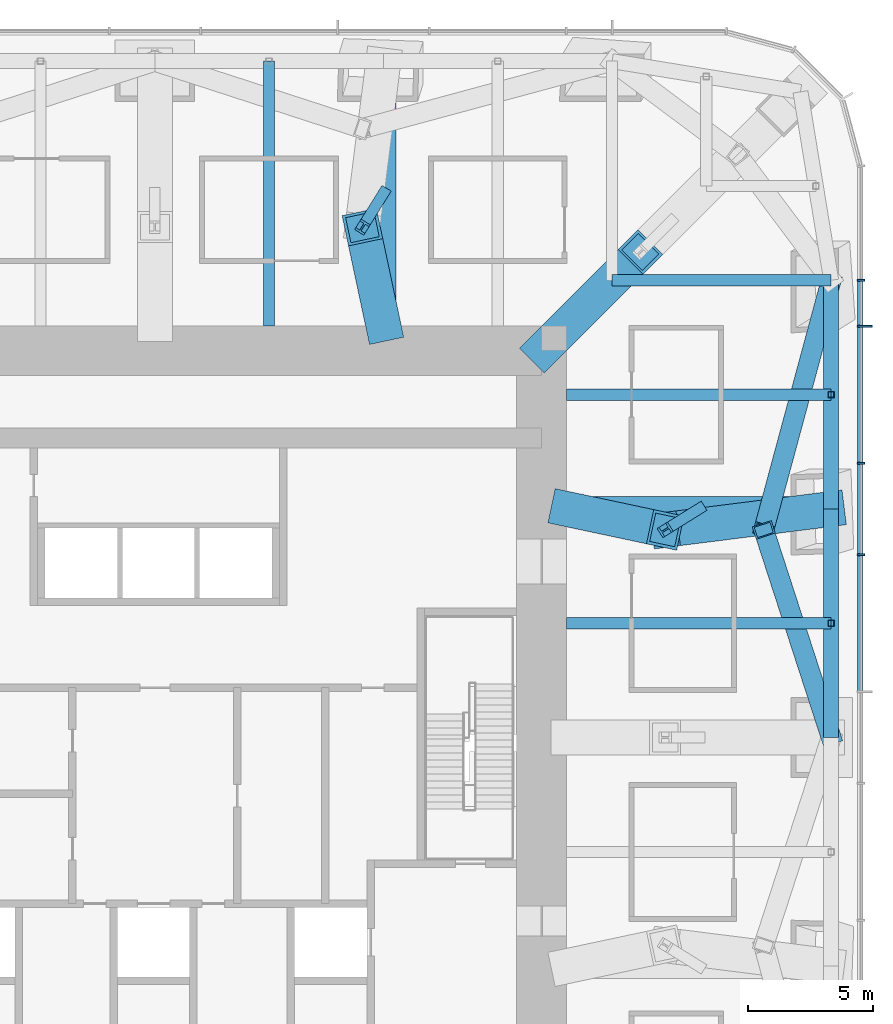
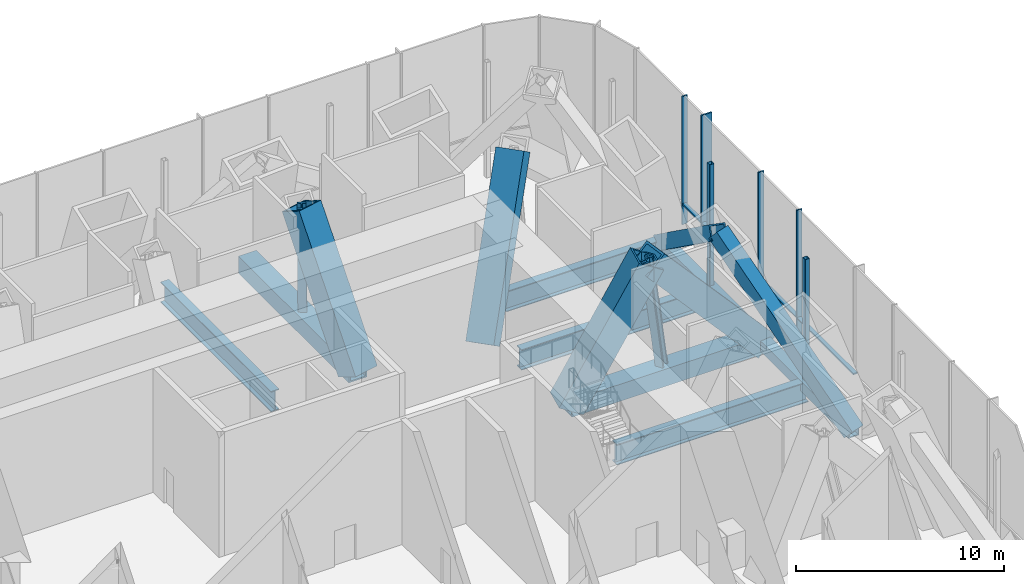
# One storey, part 8 of 16: 22 members, 4 beams, 1 element without a shape of its own.
"""IFC4 building model written with IfcOpenShell, lengths in metres."""

import ifcopenshell
import ifcopenshell.guid

model = None  # the IFC model being written
_history = None  # IfcOwnerHistory: only IFC2X3 demands one
_inside = {}  # id of a spatial element -> (the spatial element, [elements in it])
_under = {}  # id of a project, library or spatial element -> (it, [spatial elements below it])
_declared = {}  # id of a project -> (the project, [libraries it declares])
_typed = {}  # id of a type object -> (the type object, [elements of that type])
_made_of = {}  # id of a material, layer set ... -> (it, [elements and type objects made of it])


def new_model(schema):
    """Start an empty IFC model of exactly this schema.

    Asked for "IFC4X3", IfcOpenShell would pick the latest addendum, in which some entities
    have other attributes; the version numbers below select the first issue.
    IFC2X3 requires an IfcOwnerHistory on every rooted entity: one is made here for all.
    """
    global model, _history
    if schema == "IFC4X3":
        model = ifcopenshell.file(schema_version=(4, 3, 0, 0))
    else:
        model = ifcopenshell.file(schema=schema)
    _inside.clear()
    _under.clear()
    _declared.clear()
    _typed.clear()
    _made_of.clear()
    _history = None
    if model.schema == "IFC2X3":
        org = make("IfcOrganization", Name="unknown")
        user = make(
            "IfcPersonAndOrganization",
            ThePerson=make("IfcPerson", FamilyName="unknown"),
            TheOrganization=org,
        )
        app = make(
            "IfcApplication",
            ApplicationDeveloper=org,
            Version="unknown",
            ApplicationFullName="unknown",
            ApplicationIdentifier="unknown",
        )
        _history = make(
            "IfcOwnerHistory",
            OwningUser=user,
            OwningApplication=app,
            ChangeAction="ADDED",
            CreationDate=0,
        )
    return model


def make(cls, **values):
    """One entity of the class cls with the attributes given. An attribute that is None is left unset."""
    return model.create_entity(
        cls, **{name: value for name, value in values.items() if value is not None}
    )


def rooted(cls, **values):
    """An entity with a GlobalId (a new one), such as an element, a storey or a relation."""
    return make(cls, GlobalId=ifcopenshell.guid.new(), OwnerHistory=_history, **values)


def si_unit(unit_type, name, prefix=None):
    """IfcSIUnit, for example si_unit("LENGTHUNIT", "METRE", prefix="MILLI")."""
    return make("IfcSIUnit", UnitType=unit_type, Prefix=prefix, Name=name)


def assignment(units):
    """IfcUnitAssignment: the units of a project."""
    return None if units is None else make("IfcUnitAssignment", Units=units)


def point(xyz):
    """IfcCartesianPoint."""
    return None if xyz is None else make("IfcCartesianPoint", Coordinates=xyz)


def direction(xyz):
    """IfcDirection."""
    return None if xyz is None else make("IfcDirection", DirectionRatios=xyz)


def frame(location, z_axis=None, x_axis=None):
    """IfcAxis2Placement3D, a coordinate frame: its origin and axes. An axis left out is left unset."""
    return make(
        "IfcAxis2Placement3D",
        Location=point(location),
        Axis=direction(z_axis),
        RefDirection=direction(x_axis),
    )


def frame_2d(location, x_axis=None):
    """IfcAxis2Placement2D, a coordinate frame in the plane: its origin and x axis."""
    return make(
        "IfcAxis2Placement2D", Location=point(location), RefDirection=direction(x_axis)
    )


def origin():
    """The frame at (0, 0, 0) with its axes left unset."""
    return frame((0.0, 0.0, 0.0))


def origin_2d():
    """The frame at (0, 0) in the plane with its x axis left unset."""
    return frame_2d((0.0, 0.0))


def place(relative_to, where):
    """IfcLocalPlacement: puts the frame where relative to a parent placement (None: the world)."""
    return make(
        "IfcLocalPlacement", PlacementRelTo=relative_to, RelativePlacement=where
    )


def context(
    kind, dimensions, precision=None, world=None, true_north=None, identifier=None
):
    """IfcGeometricRepresentationContext, for example the 3D "Model" context."""
    return make(
        "IfcGeometricRepresentationContext",
        ContextIdentifier=identifier,
        ContextType=kind,
        CoordinateSpaceDimension=dimensions,
        Precision=precision,
        WorldCoordinateSystem=world,
        TrueNorth=true_north,
    )


def subcontext(parent, identifier, kind, view, scale=None):
    """IfcGeometricRepresentationSubContext, for example "Body" below "Model"."""
    return make(
        "IfcGeometricRepresentationSubContext",
        ContextIdentifier=identifier,
        ContextType=kind,
        ParentContext=parent,
        TargetScale=scale,
        TargetView=view,
    )


def project(units=None, contexts=None):
    """IfcProject with its units and contexts."""
    return rooted(
        "IfcProject",
        Name="project",
        RepresentationContexts=contexts,
        UnitsInContext=assignment(units),
    )


def spatial(cls, under=None, at=None, **own):
    """A site, building, storey or space (cls), placed at a placement, below another one or the project."""
    s = rooted(cls, ObjectPlacement=at, **own)
    if under is not None:
        _under.setdefault(under.id(), (under, []))[1].append(s)
    return s


def profile(cls, at=None, kind="AREA", **sizes):
    """A parametric profile (cls). Its sizes go by their IFC names, for example OverallWidth=200.0."""
    return make(cls, ProfileType=kind, Position=at, **sizes)


def rectangle(**sizes):
    """IfcRectangleProfileDef."""
    return profile("IfcRectangleProfileDef", **sizes)


def hollow_rectangle(**sizes):
    """IfcRectangleHollowProfileDef."""
    return profile("IfcRectangleHollowProfileDef", **sizes)


def i_section(**sizes):
    """IfcIShapeProfileDef."""
    return profile("IfcIShapeProfileDef", **sizes)


def extrude(swept, where, along, depth):
    """IfcExtrudedAreaSolid: the profile swept, set in the frame where, extruded along a direction by depth."""
    return make(
        "IfcExtrudedAreaSolid",
        SweptArea=swept,
        Position=where,
        ExtrudedDirection=direction(along),
        Depth=depth,
    )


def shape(context_of_items, identifier, shape_type, items):
    """IfcShapeRepresentation: the items that make up one representation, for example the "Body"."""
    return make(
        "IfcShapeRepresentation",
        ContextOfItems=context_of_items,
        RepresentationIdentifier=identifier,
        RepresentationType=shape_type,
        Items=items,
    )


def material(Name=None, Category=None):
    """IfcMaterial."""
    return make("IfcMaterial", Name=Name, Category=Category)


def material_profile(
    of_material, cross_section, Name=None, Category=None, Priority=None
):
    """IfcMaterialProfile: a cross section and its material."""
    return make(
        "IfcMaterialProfile",
        Name=Name,
        Material=of_material,
        Profile=cross_section,
        Priority=Priority,
        Category=Category,
    )


def profile_set(profiles, Name=None, composite=None):
    """IfcMaterialProfileSet."""
    return make(
        "IfcMaterialProfileSet",
        Name=Name,
        MaterialProfiles=profiles,
        CompositeProfile=composite,
    )


def made_of(thing, what):
    """Note that an element or type object is made of a material, layer set ...; save() writes the relation."""
    if what is not None:
        _made_of.setdefault(what.id(), (what, []))[1].append(thing)
    return thing


def type_object(cls, material=None, **own):
    """A type object (cls), such as IfcWallType, which elements share."""
    return made_of(rooted(cls, **own), material)


def element(
    cls,
    number,
    at=None,
    inside=None,
    cuts=None,
    type_object=None,
    material=None,
    context=None,
    identifier="Body",
    shape_type=None,
    held_by="IfcProductDefinitionShape",
    body=None,
    shapes=None,
    **own,
):
    """One element of the class cls, such as IfcWall. Its Tag is "e" and its number.

    at: its placement. inside: the storey or other place that contains it. cuts: it is an
    opening in that element (IfcRelVoidsElement). A single representation is given by context,
    identifier, shape_type and body (its items); several are given by shapes. held_by: the class
    of the entity that holds the representations. save() writes the other relations.
    """
    e = rooted(cls, Tag="e%d" % number, ObjectPlacement=at, **own)
    if body is not None:
        shapes = [shape(context, identifier, shape_type, body)]
    if shapes is not None:
        e.Representation = make(held_by, Representations=shapes)
    if inside is not None:
        _inside.setdefault(inside.id(), (inside, []))[1].append(e)
    if cuts is not None:
        rooted(
            "IfcRelVoidsElement", RelatingBuildingElement=cuts, RelatedOpeningElement=e
        )
    if type_object is not None:
        _typed.setdefault(type_object.id(), (type_object, []))[1].append(e)
    return made_of(e, material)


def aggregate(whole, parts):
    """IfcRelAggregates: a whole, such as a stair, and the parts it consists of."""
    return rooted("IfcRelAggregates", RelatingObject=whole, RelatedObjects=parts)


def save(model, path):
    """Write the relations noted so far, then the file.

    IfcRelAggregates (storeys below a building ...), IfcRelContainedInSpatialStructure (elements
    in a storey), IfcRelDefinesByType, IfcRelAssociatesMaterial and IfcRelDeclares: one each for
    every whole, place, type object, material and project.
    """
    for whole, parts in _under.values():
        aggregate(whole, parts)
    for where, things in _inside.values():
        rooted(
            "IfcRelContainedInSpatialStructure",
            RelatedElements=things,
            RelatingStructure=where,
        )
    for kind, things in _typed.values():
        rooted("IfcRelDefinesByType", RelatedObjects=things, RelatingType=kind)
    for what, things in _made_of.values():
        rooted("IfcRelAssociatesMaterial", RelatedObjects=things, RelatingMaterial=what)
    for by, libraries in _declared.values():
        rooted("IfcRelDeclares", RelatingContext=by, RelatedDefinitions=libraries)
    model.write(path)


model = new_model("IFC4")

# Units and contexts
model_context = context("Model", 3, precision=1e-05, world=origin(), true_north=direction((0.0, 1.0)))
body_context = subcontext(model_context, "Body", "Model", "MODEL_VIEW")
ifc_project = project(units=[si_unit("LENGTHUNIT", "METRE"), si_unit("AREAUNIT", "SQUARE_METRE"), si_unit("VOLUMEUNIT", "CUBIC_METRE"), si_unit("PLANEANGLEUNIT", "RADIAN"), si_unit("MASSUNIT", "GRAM", prefix="KILO")], contexts=[model_context])

# Site, building, storey
site_placement = place(None, origin())
site = spatial("IfcSite", under=ifc_project, at=site_placement, CompositionType="ELEMENT")
building_placement = place(site_placement, origin())
building = spatial("IfcBuilding", under=site, at=building_placement, Name="Khuree Lantern Residences", CompositionType="ELEMENT")
storey_placement = place(building_placement, frame((0.0, 0.0, 192.0)))
storey = spatial("IfcBuildingStorey", under=building, at=storey_placement, Name="L48", CompositionType="ELEMENT", Elevation=192.0)

# Beams
ifc_material_1 = material(Name="Steel S355", Category="steel")
ifc_material_profile_1 = material_profile(ifc_material_1, i_section(OverallWidth=0.449951171875, OverallDepth=1.199951171875, WebThickness=0.02490234375, FlangeThickness=0.044921875, at=origin_2d()), Name="WELDED I 1200X450X25X45")
ifc_profile_set_1 = profile_set([ifc_material_profile_1], Name="Steel S355")
beam_type_1 = type_object("IfcBeamType", Name="B-48 SECONDARY BEAM WELDED I 1200X450X25X45", PredefinedType="BEAM", material=ifc_profile_set_1)
for number, where, z_axis, x_axis, name in (
    (1, (4.580078125, 27.10009765625, -0.949951171875), (0.0, -1.0, 0.0), (1.0, 0.0, 0.0), "Secondary beam N3"),
    (2, (27.10009765625, 13.739990234375, -0.949951171875), (-1.0, 0.0, 0.0), (0.0, -1.0, 0.0), "Secondary beam E2"),
    (3, (27.10009765625, 4.580078125, -0.949951171875), (-1.0, 0.0, 0.0), (0.0, -1.0, 0.0), "Secondary beam E3"),
):
    element("IfcBeam", number, at=place(storey_placement, frame(where, z_axis=z_axis, x_axis=x_axis)), inside=storey, type_object=beam_type_1, Name=name, PredefinedType="BEAM", context=body_context, shape_type="SweptSolid", body=[
        extrude(i_section(OverallWidth=0.449951171875, OverallDepth=1.199951171875, WebThickness=0.02490234375, FlangeThickness=0.044921875, at=origin_2d()), origin(), (0.0, 0.0, 1.0), 10.60009765625),
    ])

# Members
ifc_material_profile_2 = material_profile(ifc_material_1, hollow_rectangle(XDim=0.800048828125, YDim=0.800048828125, WallThickness=0.070068359375, at=origin_2d()), Name="WELDED BOX 800X800X70")
ifc_profile_set_2 = profile_set([ifc_material_profile_2], Name="Steel S355")
member_type_1 = type_object("IfcMemberType", Name="BD-48 BELT TRUSS DIAGONAL WELDED BOX 800X800X70", PredefinedType="BRACE", material=ifc_profile_set_2)
member_1_placement = place(storey_placement, frame((27.10009765625, 18.320068359375, -0.64990234375), z_axis=(-0.210178823341, -0.778383779751, 0.591560270505), x_axis=(0.965424337217, -0.260683426993, 0.0)))
element("IfcMember", 4, at=member_1_placement, inside=storey, type_object=member_type_1, Name="Belt truss diagonal E2", PredefinedType="BRACE", context=body_context, shape_type="SweptSolid", body=[
    extrude(hollow_rectangle(XDim=0.800048828125, YDim=0.800048828125, WallThickness=0.070068359375, at=origin_2d()), origin(), (0.0, 0.0, 1.0), 12.84716796875),
])
member_2_placement = place(storey_placement, frame((24.39990234375, 8.320068359375, 6.949951171875), z_axis=(0.233024646962, -0.718015094379, -0.655861142432), x_axis=(0.951162589374, 0.308690344156, 0.0)))
element("IfcMember", 5, at=member_2_placement, inside=storey, type_object=member_type_1, Name="Belt truss diagonal E3", PredefinedType="BRACE", context=body_context, shape_type="SweptSolid", body=[
    extrude(hollow_rectangle(XDim=0.800048828125, YDim=0.800048828125, WallThickness=0.070068359375, at=origin_2d()), origin(), (0.0, 0.0, 1.0), 11.587646484375),
])
ifc_material_profile_3 = material_profile(ifc_material_1, hollow_rectangle(XDim=0.60009765625, YDim=0.60009765625, WallThickness=0.050048828125, at=origin_2d()), Name="WELDED BOX 600X600X50")
ifc_profile_set_3 = profile_set([ifc_material_profile_3], Name="Steel S355")
member_type_2 = type_object("IfcMemberType", Name="BT-48 BELT TRUSS CHORD WELDED BOX 600X600X50", PredefinedType="CHORD", material=ifc_profile_set_3)
member_3_placement = place(storey_placement, frame((27.10009765625, 18.320068359375, -0.64990234375), z_axis=(0.0, -1.0, 0.0), x_axis=(1.0, 0.0, 0.0)))
element("IfcMember", 6, at=member_3_placement, inside=storey, type_object=member_type_2, Name="Belt truss chord E2", PredefinedType="CHORD", context=body_context, shape_type="SweptSolid", body=[
    extrude(hollow_rectangle(XDim=0.60009765625, YDim=0.60009765625, WallThickness=0.050048828125, at=origin_2d()), origin(), (0.0, 0.0, 1.0), 9.16015625),
])
member_4_placement = place(storey_placement, frame((27.10009765625, 9.159912109375, -0.64990234375), z_axis=(0.0, -1.0, 0.0), x_axis=(1.0, 0.0, 0.0)))
element("IfcMember", 7, at=member_4_placement, inside=storey, type_object=member_type_2, Name="Belt truss chord E3", PredefinedType="CHORD", context=body_context, shape_type="SweptSolid", body=[
    extrude(hollow_rectangle(XDim=0.60009765625, YDim=0.60009765625, WallThickness=0.050048828125, at=origin_2d()), origin(), (0.0, 0.0, 1.0), 9.159912109375),
])

# Curtain wall, member
ifc_material_2 = material(Name="Bronze anodised aluminium", Category="aluminium")
curtain_wall_type = type_object("IfcCurtainWallType", Name="CW-G PLANT STOREY LOUVRED CURTAIN WALL", PredefinedType="USERDEFINED", material=ifc_material_2)
curtain_wall_placement = place(storey_placement, origin())
curtain_wall = element("IfcCurtainWall", 8, at=curtain_wall_placement, inside=storey, type_object=curtain_wall_type, Name="L48 EAST FACE CURTAIN WALL", ObjectType="Louvred curtain wall", PredefinedType="USERDEFINED")
ifc_material_profile_4 = material_profile(ifc_material_2, rectangle(XDim=0.080078125, YDim=0.60009765625, at=origin_2d()), Name="F2 80X600")
ifc_profile_set_4 = profile_set([ifc_material_profile_4], Name="Bronze anodised aluminium")
member_type_3 = type_object("IfcMemberType", Name="F2 BRONZE FIN MULLION PLANT 80X600", PredefinedType="MULLION", material=ifc_profile_set_4)
member_5_placement = place(storey_placement, frame((28.449951171875, 16.488037109375, 0.0), z_axis=(0.0, 0.0, 1.0), x_axis=(0.0, 1.0, 0.0)))
member_5 = element("IfcMember", 9, at=member_5_placement, type_object=member_type_3, Name="L48 EAST FACE FIN MULLION 13", PredefinedType="MULLION", context=body_context, shape_type="SweptSolid", body=[
    extrude(rectangle(XDim=0.080078125, YDim=0.60009765625, at=origin_2d()), origin(), (0.0, 0.0, 1.0), 7.5),
])

# Beam
ifc_material_profile_5 = material_profile(ifc_material_1, i_section(OverallWidth=0.449951171875, OverallDepth=1.199951171875, WebThickness=0.02490234375, FlangeThickness=0.044921875, at=origin_2d()), Name="WELDED I 1200X450X25X45")
ifc_profile_set_5 = profile_set([ifc_material_profile_5], Name="Steel S355")
beam_type_2 = type_object("IfcBeamType", Name="G-48 GIRDER WELDED I 1200X450X25X45", PredefinedType="BEAM", material=ifc_profile_set_5)
beam_placement = place(storey_placement, frame((27.10009765625, 18.320068359375, -0.949951171875), z_axis=(-1.0, 0.0, 0.0), x_axis=(0.0, -1.0, 0.0)))
element("IfcBeam", 10, at=beam_placement, inside=storey, type_object=beam_type_2, Name="Girder E1", PredefinedType="BEAM", context=body_context, shape_type="SweptSolid", body=[
    extrude(i_section(OverallWidth=0.449951171875, OverallDepth=1.199951171875, WebThickness=0.02490234375, FlangeThickness=0.044921875, at=origin_2d()), origin(), (0.0, 0.0, 1.0), 8.780029296875),
])

# Member
ifc_material_profile_6 = material_profile(ifc_material_2, rectangle(XDim=0.080078125, YDim=0.300048828125, at=origin_2d()), Name="M2 80X300")
ifc_profile_set_6 = profile_set([ifc_material_profile_6], Name="Bronze anodised aluminium")
member_type_4 = type_object("IfcMemberType", Name="MULLION M2 PLANT 80X300", PredefinedType="MULLION", material=ifc_profile_set_6)
member_6_placement = place(storey_placement, frame((28.300048828125, 7.327880859375, 0.0), z_axis=(0.0, 0.0, 1.0), x_axis=(0.0, 1.0, 0.0)))
member_6 = element("IfcMember", 11, at=member_6_placement, type_object=member_type_4, Name="L48 EAST FACE MULLION 11", PredefinedType="MULLION", context=body_context, shape_type="SweptSolid", body=[
    extrude(rectangle(XDim=0.080078125, YDim=0.300048828125, at=origin_2d()), origin(), (0.0, 0.0, 1.0), 7.5),
])

member_7_placement = place(storey_placement, frame((28.300048828125, 10.991943359375, 0.0), z_axis=(0.0, 0.0, 1.0), x_axis=(0.0, 1.0, 0.0)))
member_7 = element("IfcMember", 12, at=member_7_placement, type_object=member_type_4, Name="L48 EAST FACE MULLION 12", PredefinedType="MULLION", context=body_context, shape_type="SweptSolid", body=[
    extrude(rectangle(XDim=0.080078125, YDim=0.300048828125, at=origin_2d()), origin(), (0.0, 0.0, 1.0), 7.5),
])

member_8_placement = place(storey_placement, frame((28.300048828125, 18.320068359375, 0.0), z_axis=(0.0, 0.0, 1.0), x_axis=(0.0, 1.0, 0.0)))
member_8 = element("IfcMember", 13, at=member_8_placement, type_object=member_type_4, Name="L48 EAST FACE MULLION 14", PredefinedType="MULLION", context=body_context, shape_type="SweptSolid", body=[
    extrude(rectangle(XDim=0.080078125, YDim=0.300048828125, at=origin_2d()), origin(), (0.0, 0.0, 1.0), 7.5),
])

# Members
ifc_material_profile_7 = material_profile(ifc_material_1, hollow_rectangle(XDim=1.39990234375, YDim=1.39990234375, WallThickness=0.1201171875, at=origin_2d()), Name="WELDED BOX 1400X1400X120")
ifc_profile_set_7 = profile_set([ifc_material_profile_7], Name="Steel S355")
member_type_5 = type_object("IfcMemberType", Name="OD-48 OUTRIGGER TRUSS DIAGONAL WELDED BOX 1400X1400X120", PredefinedType="BRACE", material=ifc_profile_set_7)
member_9_placement = place(storey_placement, frame((15.5, 15.5, -0.85009765625), z_axis=(0.419194449983, 0.419194449983, 0.805327278941), x_axis=(-0.707106781187, 0.707106781187, 0.0)))
element("IfcMember", 14, at=member_9_placement, inside=storey, type_object=member_type_5, Name="Outrigger diagonal NE core side", PredefinedType="BRACE", context=body_context, shape_type="SweptSolid", body=[
    extrude(hollow_rectangle(XDim=1.39990234375, YDim=1.39990234375, WallThickness=0.1201171875, at=origin_2d()), origin(), (0.0, 0.0, 1.0), 9.437255859375),
])
for number, where, z_axis, x_axis, name in (
    (15, (9.159912109375, 16.5, -0.85009765625), (-0.097584410085, 0.45895877057, 0.883082176145), (-0.97813472116, -0.20797227522, 0.0), "Outrigger diagonal N4 core side"),
    (16, (16.5, 9.159912109375, -0.85009765625), (0.45895877057, -0.097584410085, 0.883082176145), (0.20797227522, 0.97813472116, 0.0), "Outrigger diagonal E2 core side"),
):
    element("IfcMember", number, at=place(storey_placement, frame(where, z_axis=z_axis, x_axis=x_axis)), inside=storey, type_object=member_type_5, Name=name, PredefinedType="BRACE", context=body_context, shape_type="SweptSolid", body=[
        extrude(hollow_rectangle(XDim=1.39990234375, YDim=1.39990234375, WallThickness=0.1201171875, at=origin_2d()), origin(), (0.0, 0.0, 1.0), 8.6064453125),
    ])
member_10_placement = place(storey_placement, frame((20.449951171875, 8.320068359375, 6.75), z_axis=(0.656242644896, 0.082876562959, -0.749984710732), x_axis=(-0.125294301866, 0.992119618756, 0.0)))
element("IfcMember", 17, at=member_10_placement, inside=storey, type_object=member_type_5, Name="Outrigger diagonal E2 column side", PredefinedType="BRACE", context=body_context, shape_type="SweptSolid", body=[
    extrude(hollow_rectangle(XDim=1.39990234375, YDim=1.39990234375, WallThickness=0.1201171875, at=origin_2d()), origin(), (0.0, 0.0, 1.0), 10.1337890625),
])
ifc_material_profile_8 = material_profile(ifc_material_1, i_section(OverallWidth=0.431884765625, OverallDepth=0.498046875, WebThickness=0.0556640625, FlangeThickness=0.0888671875, FilletRadius=0.014892578125, at=origin_2d()), Name="HD 400X744")
ifc_profile_set_8 = profile_set([ifc_material_profile_8], Name="Steel S355")
member_type_6 = type_object("IfcMemberType", Name="OP-48 OUTRIGGER TRUSS POST HD 400X744", PredefinedType="POST", material=ifc_profile_set_8)
for number, where, z_axis, x_axis, name in (
    (18, (9.159912109375, 21.800048828125, -0.85009765625), (-0.108162656539, -0.173877758914, 0.978809156417), (0.849117820297, -0.528203490384, 0.0), "Outrigger post N4"),
    (19, (21.800048828125, 9.159912109375, -0.85009765625), (-0.173877758914, -0.108162656539, 0.978809156417), (0.528203490384, -0.849117820297, 0.0), "Outrigger post E2"),
):
    element("IfcMember", number, at=place(storey_placement, frame(where, z_axis=z_axis, x_axis=x_axis)), inside=storey, type_object=member_type_6, Name=name, PredefinedType="POST", context=body_context, shape_type="SweptSolid", body=[
        extrude(i_section(OverallWidth=0.431884765625, OverallDepth=0.498046875, WebThickness=0.0556640625, FlangeThickness=0.0888671875, FilletRadius=0.014892578125, at=origin_2d()), origin(), (0.0, 0.0, 1.0), 7.7646484375),
    ])
ifc_material_profile_9 = material_profile(ifc_material_1, hollow_rectangle(XDim=1.0, YDim=1.0, WallThickness=0.080078125, at=origin_2d()), Name="WELDED BOX 1000X1000X80")
ifc_profile_set_9 = profile_set([ifc_material_profile_9], Name="Steel S355")
member_type_7 = type_object("IfcMemberType", Name="OT-48 OUTRIGGER TRUSS CHORD WELDED BOX 1000X1000X80", PredefinedType="CHORD", material=ifc_profile_set_9)
for number, where, z_axis, x_axis, name in (
    (20, (9.159912109375, 27.10009765625, -0.85009765625), (0.0, -1.0, 0.0), (1.0, 0.0, 0.0), "Outrigger chord N4"),
    (21, (27.10009765625, 9.159912109375, -0.85009765625), (-1.0, 0.0, 0.0), (0.0, -1.0, 0.0), "Outrigger chord E2"),
):
    element("IfcMember", number, at=place(storey_placement, frame(where, z_axis=z_axis, x_axis=x_axis)), inside=storey, type_object=member_type_7, Name=name, PredefinedType="CHORD", context=body_context, shape_type="SweptSolid", body=[
        extrude(hollow_rectangle(XDim=1.0, YDim=1.0, WallThickness=0.080078125, at=origin_2d()), origin(), (0.0, 0.0, 1.0), 10.60009765625),
    ])
ifc_material_profile_10 = material_profile(ifc_material_1, hollow_rectangle(XDim=0.25, YDim=0.25, WallThickness=0.012451171875, InnerFilletRadius=0.012451171875, OuterFilletRadius=0.018798828125, at=origin_2d()), Name="SHS 250X250X12.5")
ifc_profile_set_10 = profile_set([ifc_material_profile_10], Name="Steel S355")
member_type_8 = type_object("IfcMemberType", Name="TP1 TERRACE POST SHS 250X250X12.5", PredefinedType="POST", material=ifc_profile_set_10)
for number, where, z_axis, x_axis, name in (
    (22, (27.10009765625, 13.739990234375, -0.35009765625), (0.0, 0.0, 1.0), (1.0, 0.0, 0.0), "Terrace post E2"),
    (23, (27.10009765625, 4.580078125, -0.35009765625), (0.0, 0.0, 1.0), (1.0, 0.0, 0.0), "Terrace post E3"),
):
    element("IfcMember", number, at=place(storey_placement, frame(where, z_axis=z_axis, x_axis=x_axis)), inside=storey, type_object=member_type_8, Name=name, PredefinedType="POST", context=body_context, shape_type="SweptSolid", body=[
        extrude(hollow_rectangle(XDim=0.25, YDim=0.25, WallThickness=0.012451171875, InnerFilletRadius=0.012451171875, OuterFilletRadius=0.018798828125, at=origin_2d()), origin(), (0.0, 0.0, 1.0), 7.10009765625),
    ])

# Member
ifc_material_profile_11 = material_profile(ifc_material_2, rectangle(XDim=0.219970703125, YDim=0.080078125, at=origin_2d()), Name="T2 220X80")
ifc_profile_set_11 = profile_set([ifc_material_profile_11], Name="Bronze anodised aluminium")
member_type_9 = type_object("IfcMemberType", Name="TRANSOM T2 PLANT 220X80", PredefinedType="USERDEFINED", material=ifc_profile_set_11)
member_11_placement = place(storey_placement, frame((28.27001953125, 1.8720703125, 1.199951171875), z_axis=(0.0, 1.0, 0.0), x_axis=(-1.0, 0.0, 0.0)))
member_11 = element("IfcMember", 24, at=member_11_placement, type_object=member_type_9, Name="L48 EAST FACE TRANSOM 10.1", ObjectType="Transom", PredefinedType="USERDEFINED", context=body_context, shape_type="SweptSolid", body=[
    extrude(rectangle(XDim=0.219970703125, YDim=0.080078125, at=origin_2d()), origin(), (0.0, 0.0, 1.0), 5.416015625),
])

member_12_placement = place(storey_placement, frame((28.27001953125, 7.367919921875, 1.199951171875), z_axis=(0.0, 1.0, 0.0), x_axis=(-1.0, 0.0, 0.0)))
member_12 = element("IfcMember", 25, at=member_12_placement, type_object=member_type_9, Name="L48 EAST FACE TRANSOM 11.1", ObjectType="Transom", PredefinedType="USERDEFINED", context=body_context, shape_type="SweptSolid", body=[
    extrude(rectangle(XDim=0.219970703125, YDim=0.080078125, at=origin_2d()), origin(), (0.0, 0.0, 1.0), 3.583984375),
])

member_13_placement = place(storey_placement, frame((28.27001953125, 11.031982421875, 1.199951171875), z_axis=(0.0, 1.0, 0.0), x_axis=(-1.0, 0.0, 0.0)))
member_13 = element("IfcMember", 26, at=member_13_placement, type_object=member_type_9, Name="L48 EAST FACE TRANSOM 12.1", ObjectType="Transom", PredefinedType="USERDEFINED", context=body_context, shape_type="SweptSolid", body=[
    extrude(rectangle(XDim=0.219970703125, YDim=0.080078125, at=origin_2d()), origin(), (0.0, 0.0, 1.0), 5.416015625),
])

member_14_placement = place(storey_placement, frame((28.27001953125, 16.528076171875, 1.199951171875), z_axis=(0.0, 1.0, 0.0), x_axis=(-1.0, 0.0, 0.0)))
member_14 = element("IfcMember", 27, at=member_14_placement, type_object=member_type_9, Name="L48 EAST FACE TRANSOM 13.1", ObjectType="Transom", PredefinedType="USERDEFINED", context=body_context, shape_type="SweptSolid", body=[
    extrude(rectangle(XDim=0.219970703125, YDim=0.080078125, at=origin_2d()), origin(), (0.0, 0.0, 1.0), 1.751953125),
])

aggregate(curtain_wall, [member_6, member_7, member_5, member_8, member_11, member_12, member_13, member_14])

save(model, "model.ifc")
